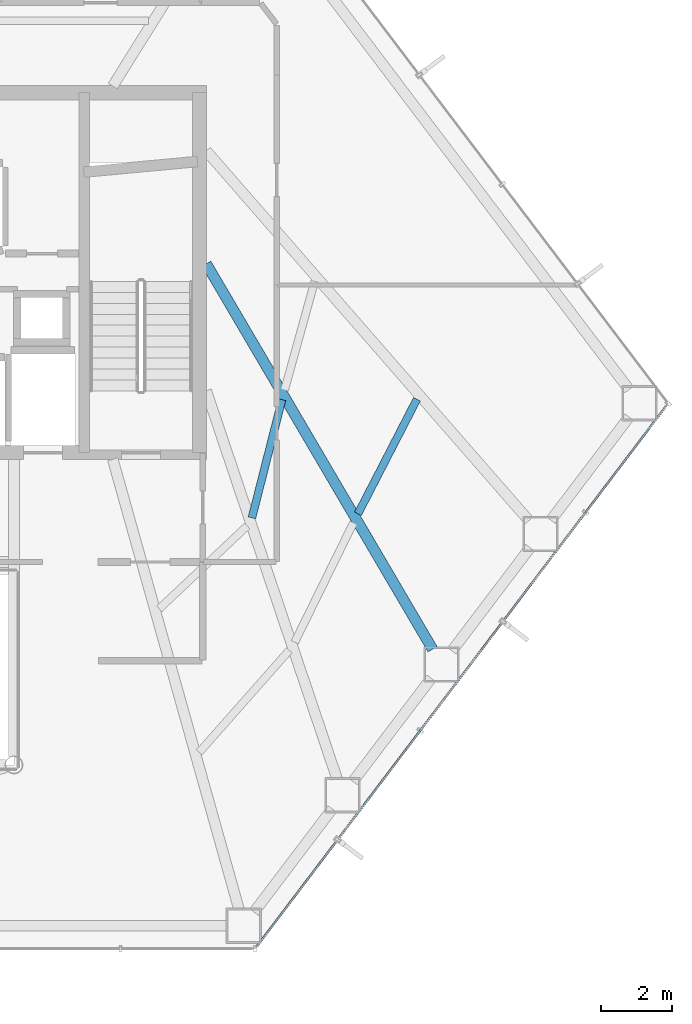
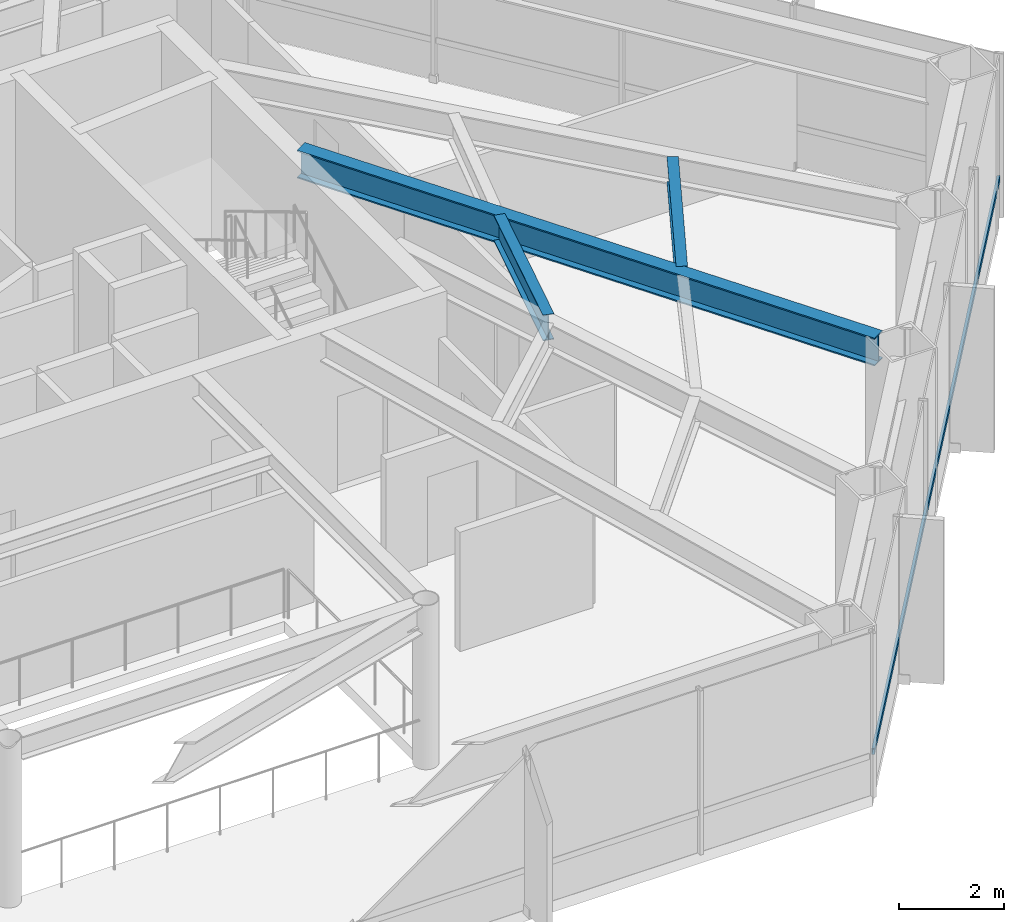
# One storey, part 18 of 26: 3 beams, 1 member, 1 element without a shape of its own.
"""IFC4 building model written with IfcOpenShell, lengths in metres."""

from ifc_helpers import new_model, si_unit, direction, frame, origin, origin_2d, place, context, subcontext, project, spatial, hollow_rectangle, i_section, extrude, material, layer, layer_set, material_profile, profile_set, type_object, element, aggregate, save


model = new_model("IFC4")

# Units and contexts
model_context = context("Model", 3, precision=1e-05, world=origin(), true_north=direction((0.0, 1.0)))
body_context = subcontext(model_context, "Body", "Model", "MODEL_VIEW")
ifc_project = project(units=[si_unit("LENGTHUNIT", "METRE"), si_unit("AREAUNIT", "SQUARE_METRE"), si_unit("VOLUMEUNIT", "CUBIC_METRE"), si_unit("PLANEANGLEUNIT", "RADIAN"), si_unit("MASSUNIT", "GRAM", prefix="KILO")], contexts=[model_context])

# Site, building, storey
site_placement = place(None, origin())
site = spatial("IfcSite", under=ifc_project, at=site_placement, CompositionType="ELEMENT")
building_placement = place(site_placement, origin())
building = spatial("IfcBuilding", under=site, at=building_placement, Name="Zarrinselat Tower", CompositionType="ELEMENT")
storey_placement = place(building_placement, frame((0.0, 0.0, 27.5400390625)))
storey = spatial("IfcBuildingStorey", under=building, at=storey_placement, Name="L06", CompositionType="ELEMENT", Elevation=27.5400390625)

# Beams
ifc_material_1 = material(Name="Steel S355J2", Category="steel")
ifc_material_profile_1 = material_profile(ifc_material_1, i_section(OverallWidth=0.300048828125, OverallDepth=0.64990234375, WebThickness=0.01611328125, FlangeThickness=0.031005859375, at=origin_2d()), Name="HEB 650")
ifc_profile_set_1 = profile_set([ifc_material_profile_1], Name="Steel S355J2")
beam_type_1 = type_object("IfcBeamType", Name="BM-HEB650", PredefinedType="BEAM", material=ifc_profile_set_1)
beam_1_placement = place(storey_placement, frame((48.449951171875, 38.60009765625, 3.494873046875), z_axis=(0.506309018234, -0.862352119528, 0.0), x_axis=(0.862352119528, 0.506309018234, 0.0)))
element("IfcBeam", 1, at=beam_1_placement, inside=storey, type_object=beam_type_1, Name="L06 Radial Primary Girder RG13", PredefinedType="BEAM", context=body_context, shape_type="SweptSolid", body=[
    extrude(i_section(OverallWidth=0.300048828125, OverallDepth=0.64990234375, WebThickness=0.01611328125, FlangeThickness=0.031005859375, at=origin_2d()), origin(), (0.0, 0.0, 1.0), 12.666259765625),
])
ifc_material_2 = material(Name="Steel S355J2", Category="steel")
ifc_material_profile_2 = material_profile(ifc_material_2, i_section(OverallWidth=0.219970703125, OverallDepth=0.60009765625, WebThickness=0.011962890625, FlangeThickness=0.01904296875, at=origin_2d()), Name="IPE 600")
ifc_profile_set_2 = profile_set([ifc_material_profile_2], Name="Steel S355J2")
beam_type_2 = type_object("IfcBeamType", Name="BM-IPE600", PredefinedType="JOIST", material=ifc_profile_set_2)
beam_2_placement = place(storey_placement, frame((49.743408203125, 31.40185546875, 3.52001953125), z_axis=(0.24672271234, 0.969086117543, 0.0), x_axis=(-0.969086117543, 0.24672271234, 0.0)))
element("IfcBeam", 2, at=beam_2_placement, inside=storey, type_object=beam_type_2, Name="L06 Composite Floor Joist 5-2", PredefinedType="JOIST", context=body_context, shape_type="SweptSolid", body=[
    extrude(i_section(OverallWidth=0.219970703125, OverallDepth=0.60009765625, WebThickness=0.011962890625, FlangeThickness=0.01904296875, at=origin_2d()), origin(), (0.0, 0.0, 1.0), 3.45556640625),
])
beam_3_placement = place(storey_placement, frame((52.74658203125, 31.515380859375, 3.52001953125), z_axis=(0.458011022233, 0.888946513303, 0.0), x_axis=(-0.888946513303, 0.458011022233, 0.0)))
element("IfcBeam", 3, at=beam_3_placement, inside=storey, type_object=beam_type_2, Name="L06 Composite Floor Joist 6-1", PredefinedType="JOIST", context=body_context, shape_type="SweptSolid", body=[
    extrude(i_section(OverallWidth=0.219970703125, OverallDepth=0.60009765625, WebThickness=0.011962890625, FlangeThickness=0.01904296875, at=origin_2d()), origin(), (0.0, 0.0, 1.0), 3.65185546875),
])

# Curtain wall, member
ifc_material_3 = material(Name="Extruded Aluminium Alloy EN AW-6063 T6", Category="aluminium")
ifc_layer = layer(ifc_material_3, 0.18505859375)
ifc_layer_set = layer_set([ifc_layer], Name="Extruded Aluminium Alloy EN AW-6063 T6")
curtain_wall_type = type_object("IfcCurtainWallType", Name="CWS-OFF", PredefinedType="NOTDEFINED", material=ifc_layer_set)
curtain_wall_placement = place(storey_placement, origin())
curtain_wall = element("IfcCurtainWall", 4, at=curtain_wall_placement, inside=storey, type_object=curtain_wall_type, Name="L06 Unitised Curtain Wall CW-L06-E05", PredefinedType="NOTDEFINED")
ifc_material_4 = material(Name="Extruded Aluminium Alloy EN AW-6063 T6", Category="aluminium")
ifc_material_profile_3 = material_profile(ifc_material_4, hollow_rectangle(XDim=0.06005859375, YDim=0.139892578125, WallThickness=0.00390625, at=origin_2d()), Name="RHS 140x60x4")
ifc_profile_set_3 = profile_set([ifc_material_profile_3], Name="Extruded Aluminium Alloy EN AW-6063 T6")
member_type = type_object("IfcMemberType", Name="MEM-CW-TRN", PredefinedType="USERDEFINED", material=ifc_profile_set_3)
member_placement = place(storey_placement, frame((49.885498046875, 19.26220703125, 0.949951171875), z_axis=(0.603862091789, 0.797088811928, 0.0), x_axis=(-0.797088811928, 0.603862091789, 0.0)))
member = element("IfcMember", 5, at=member_placement, type_object=member_type, Name="CW-L06-E05 Transom 1", ObjectType="TRANSOM", PredefinedType="USERDEFINED", context=body_context, shape_type="SweptSolid", body=[
    extrude(hollow_rectangle(XDim=0.06005859375, YDim=0.139892578125, WallThickness=0.00390625, at=origin_2d()), origin(), (0.0, 0.0, 1.0), 19.212646484375),
])
aggregate(curtain_wall, [member])

save(model, "model.ifc")
